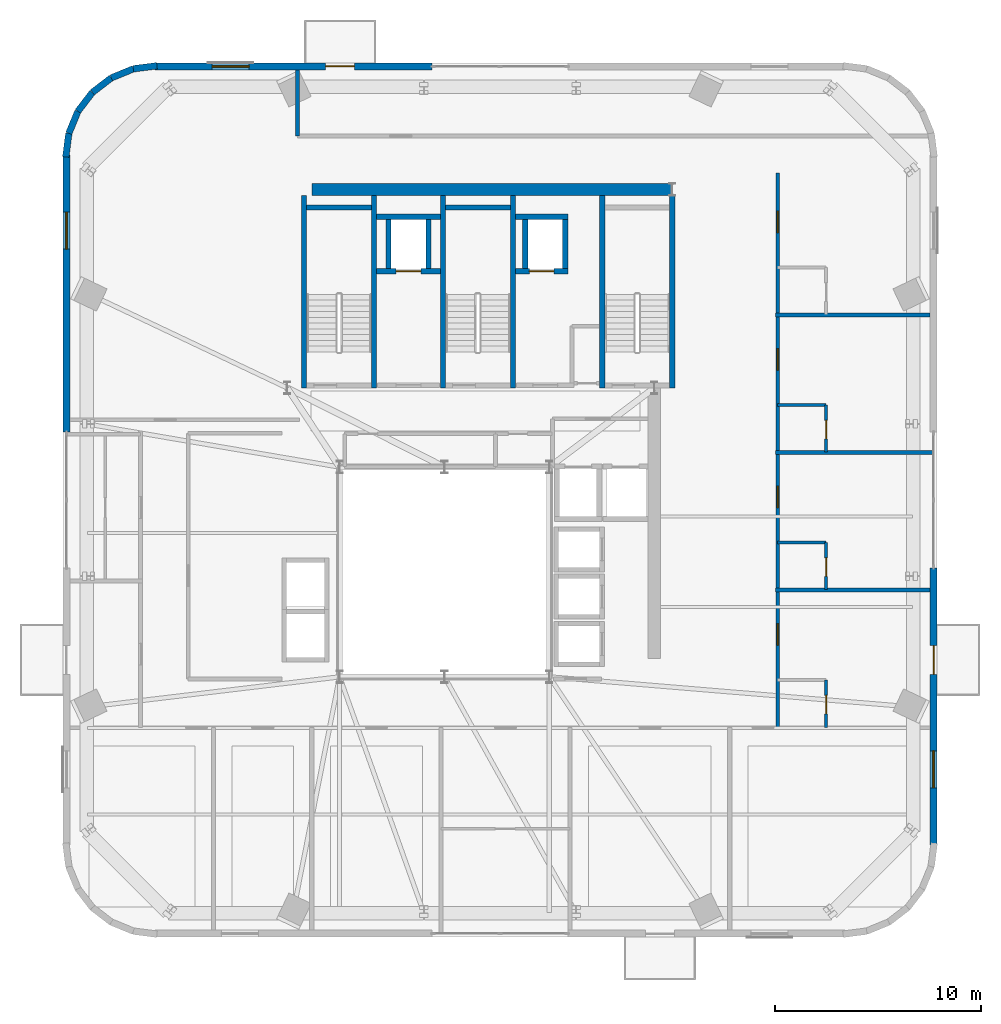
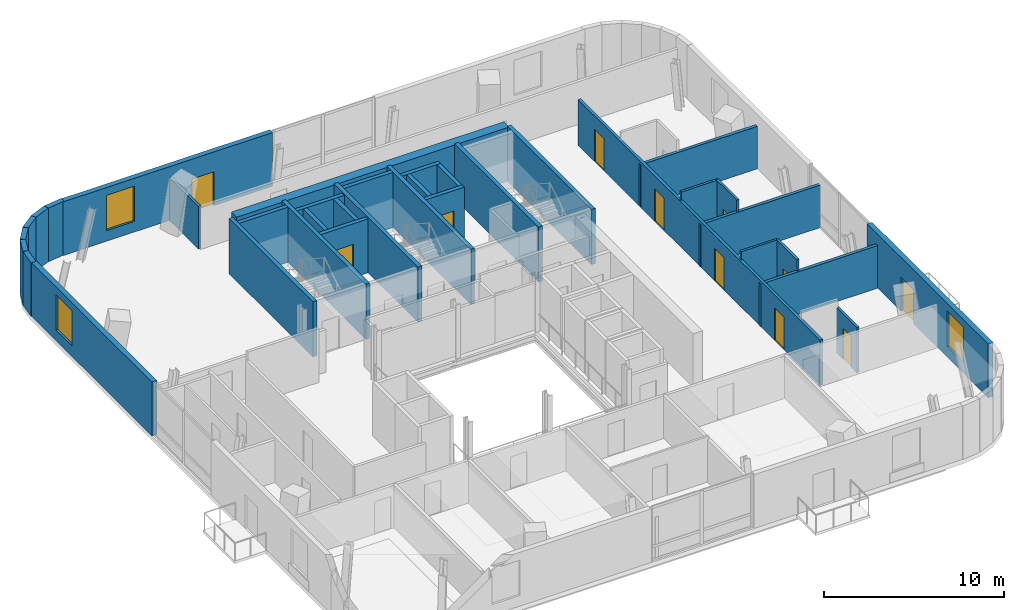
# One storey, part 8 of 14: 36 walls, 11 doors, 3 windows, 14 openings.
"""IFC4 building model written with IfcOpenShell, lengths in metres."""

from ifc_helpers import new_model, si_unit, direction, frame, frame_2d, origin, place, context, subcontext, project, spatial, rectangle, extrude, source, transform, mapped, material, layer, layer_set, type_object, element, fill, save


model = new_model("IFC4")

# Units and contexts
model_context = context("Model", 3, precision=1e-05, world=origin(), true_north=direction((0.0, 1.0)))
body_context = subcontext(model_context, "Body", "Model", "MODEL_VIEW")
ifc_project = project(units=[si_unit("LENGTHUNIT", "METRE"), si_unit("AREAUNIT", "SQUARE_METRE"), si_unit("VOLUMEUNIT", "CUBIC_METRE"), si_unit("PLANEANGLEUNIT", "RADIAN"), si_unit("MASSUNIT", "GRAM", prefix="KILO")], contexts=[model_context])

# Site, building, storey
site_placement = place(None, origin())
site = spatial("IfcSite", under=ifc_project, at=site_placement, CompositionType="ELEMENT")
building_placement = place(site_placement, origin())
building = spatial("IfcBuilding", under=site, at=building_placement, Name="Vardaveli Station Tower", CompositionType="ELEMENT")
storey_placement = place(building_placement, frame((0.0, 0.0, 270.35009765625)))
storey = spatial("IfcBuildingStorey", under=building, at=storey_placement, Name="L69", CompositionType="ELEMENT", Elevation=270.35009765625)

# Wall
ifc_material_1 = material(Name="Concrete C50/60", Category="concrete")
ifc_layer_1 = layer(ifc_material_1, 0.60009765625, Name="Concrete C50/60")
ifc_layer_set_1 = layer_set([ifc_layer_1], Name="Concrete C50/60")
wall_type_1 = type_object("IfcWallType", Name="WAL-CORE-600", PredefinedType="SHEAR", material=ifc_layer_set_1)
shared_shape_1 = source(origin(), body_context, "Body", "SweptSolid", [
    extrude(rectangle(XDim=17.52001953125, YDim=0.60009765625, at=frame_2d((8.760009765625, 0.0))), origin(), (0.0, 0.0, 1.0), 3.64990234375),
])
wall_1_placement = place(storey_placement, frame((29.85009765625, 40.300048828125, 0.0), z_axis=(0.0, 0.0, 1.0), x_axis=(1.0, 0.0, 0.0)))
element("IfcWall", 1, at=wall_1_placement, inside=storey, type_object=wall_type_1, Name="SW-L69-NORTH", PredefinedType="SHEAR", context=body_context, shape_type="MappedRepresentation", body=[
    mapped(shared_shape_1, transform((0.0, 0.0, 0.0), scale=1.0)),
])

# Wall, openings, door, window
ifc_material_2 = material(Name="Precast concrete C45/55", Category="concrete")
ifc_layer_2 = layer(ifc_material_2, 0.320068359375, Name="Precast concrete C45/55")
ifc_layer_set_2 = layer_set([ifc_layer_2], Name="Precast concrete C45/55")
wall_type_2 = type_object("IfcWallType", Name="WAL-EXT-STONE-320", PredefinedType="SOLIDWALL", material=ifc_layer_set_2)
shared_shape_2 = source(origin(), body_context, "Body", "SweptSolid", [
    extrude(rectangle(XDim=13.47998046875, YDim=0.320068359375, at=frame_2d((6.739990234375, 0.0))), origin(), (0.0, 0.0, 1.0), 3.64990234375),
])
wall_2_placement = place(storey_placement, frame((35.699951171875, 46.280029296875, 0.0), z_axis=(0.0, 0.0, 1.0), x_axis=(-1.0, 0.0, 0.0)))
wall_2 = element("IfcWall", 2, at=wall_2_placement, inside=storey, type_object=wall_type_2, Name="EW-L69-N2", PredefinedType="SOLIDWALL", context=body_context, shape_type="MappedRepresentation", body=[
    mapped(shared_shape_2, transform((0.0, 0.0, 0.0), scale=1.0)),
])
shared_shape_3 = source(origin(), body_context, "Body", "SweptSolid", [
    extrude(rectangle(XDim=1.39990234375, YDim=2.300048828125, at=frame_2d((0.699951171875, 1.14990234375))), frame((0.0, 0.169921875, 0.0), z_axis=(0.0, -1.0, 0.0), x_axis=(1.0, 0.0, 0.0)), (0.0, 0.0, 1.0), 0.340087890625),
])
opening_1_placement = place(wall_2_placement, frame((3.775390625, 0.0, 0.0)))
opening_1 = element("IfcOpeningElement", 3, at=opening_1_placement, cuts=wall_2, Name="Opening D-09", PredefinedType="OPENING", context=body_context, shape_type="MappedRepresentation", body=[
    mapped(shared_shape_3, transform((0.0, 0.0, 0.0), scale=1.0)),
])
shared_shape_4 = source(origin(), body_context, "Body", "SweptSolid", [
    extrude(rectangle(XDim=1.800048828125, YDim=2.39990234375, at=frame_2d((0.89990234375, 1.199951171875))), frame((0.0, 0.169921875, 0.0), z_axis=(0.0, -1.0, 0.0), x_axis=(1.0, 0.0, 0.0)), (0.0, 0.0, 1.0), 0.340087890625),
])
opening_2_placement = place(wall_2_placement, frame((8.89892578125, 0.0, 0.719970703125)))
opening_2 = element("IfcOpeningElement", 4, at=opening_2_placement, cuts=wall_2, Name="Opening W-05", PredefinedType="OPENING", context=body_context, shape_type="MappedRepresentation", body=[
    mapped(shared_shape_4, transform((0.0, 0.0, 0.0), scale=1.0)),
])
ifc_material_3 = material(Name="Thermally broken aluminium glass", Category="aluminium")
door_type_1 = type_object("IfcDoorType", Name="DR-LOG-1400x2300", OperationType="DOUBLE_DOOR_SLIDING", PredefinedType="DOOR", material=ifc_material_3)
shared_shape_5 = source(origin(), body_context, "Body", "SweptSolid", [
    extrude(rectangle(XDim=1.39990234375, YDim=2.300048828125, at=frame_2d((0.699951171875, 1.14990234375))), frame((0.0, 0.02490234375, 0.0), z_axis=(0.0, -1.0, 0.0), x_axis=(1.0, 0.0, 0.0)), (0.0, 0.0, 1.0), 0.050048828125),
])
door_1_placement = place(opening_1_placement, frame((1.39990234375, 0.0, 0.0), z_axis=(0.0, 0.0, 1.0), x_axis=(-1.0, 0.0, 0.0)))
door_1 = element("IfcDoor", 5, at=door_1_placement, inside=storey, type_object=door_type_1, Name="DLG-L69-N", OperationType="DOUBLE_DOOR_SLIDING", OverallHeight=2.300048828125, OverallWidth=1.39990234375, PredefinedType="DOOR", context=body_context, shape_type="MappedRepresentation", body=[
    mapped(shared_shape_5, transform((0.0, 0.0, 0.0), scale=1.0)),
])
fill(opening_1, door_1)
ifc_material_4 = material(Name="Low-E solar-control glass", Category="glass")
window_type = type_object("IfcWindowType", Name="WIN-HIGH-1800x2400", PartitioningType="SINGLE_PANEL", PredefinedType="WINDOW", material=ifc_material_4)
shared_shape_6 = source(origin(), body_context, "Body", "SweptSolid", [
    extrude(rectangle(XDim=1.800048828125, YDim=2.39990234375, at=frame_2d((0.89990234375, 1.199951171875))), frame((0.0, 0.030029296875, 0.0), z_axis=(0.0, -1.0, 0.0), x_axis=(1.0, 0.0, 0.0)), (0.0, 0.0, 1.0), 0.06005859375),
])
window_1_placement = place(opening_2_placement, origin())
window_1 = element("IfcWindow", 6, at=window_1_placement, inside=storey, type_object=window_type, Name="WN-L69-N2", OverallHeight=2.39990234375, OverallWidth=1.800048828125, PartitioningType="SINGLE_PANEL", PredefinedType="WINDOW", context=body_context, shape_type="MappedRepresentation", body=[
    mapped(shared_shape_6, transform((0.0, 0.0, 0.0), scale=1.0)),
])
fill(opening_2, window_1)

# Wall, opening, window
wall_3_placement = place(storey_placement, frame((17.919921875, 41.97998046875, 0.0), z_axis=(0.0, 0.0, 1.0), x_axis=(0.0, -1.0, 0.0)))
wall_3 = element("IfcWall", 7, at=wall_3_placement, inside=storey, type_object=wall_type_2, Name="EW-L69-W1", PredefinedType="SOLIDWALL", context=body_context, shape_type="MappedRepresentation", body=[
    mapped(shared_shape_2, transform((0.0, 0.0, 0.0), scale=1.0)),
])
opening_3_placement = place(wall_3_placement, frame((2.781005859375, 0.0, 0.719970703125)))
opening_3 = element("IfcOpeningElement", 8, at=opening_3_placement, cuts=wall_3, Name="Opening W-05", PredefinedType="OPENING", context=body_context, shape_type="MappedRepresentation", body=[
    mapped(shared_shape_4, transform((0.0, 0.0, 0.0), scale=1.0)),
])
window_2_placement = place(opening_3_placement, origin())
window_2 = element("IfcWindow", 9, at=window_2_placement, inside=storey, type_object=window_type, Name="WN-L69-W1", OverallHeight=2.39990234375, OverallWidth=1.800048828125, PartitioningType="SINGLE_PANEL", PredefinedType="WINDOW", context=body_context, shape_type="MappedRepresentation", body=[
    mapped(shared_shape_6, transform((0.0, 0.0, 0.0), scale=1.0)),
])
fill(opening_3, window_2)

# Wall, openings, door, window
wall_4_placement = place(storey_placement, frame((60.080078125, 8.419921875, 0.0), z_axis=(0.0, 0.0, 1.0), x_axis=(0.0, 1.0, 0.0)))
wall_4 = element("IfcWall", 10, at=wall_4_placement, inside=storey, type_object=wall_type_2, Name="EW-L69-E1", PredefinedType="SOLIDWALL", context=body_context, shape_type="MappedRepresentation", body=[
    mapped(shared_shape_2, transform((0.0, 0.0, 0.0), scale=1.0)),
])
opening_4_placement = place(wall_4_placement, frame((8.304443359375, 0.0, 0.0)))
opening_4 = element("IfcOpeningElement", 11, at=opening_4_placement, cuts=wall_4, Name="Opening D-09", PredefinedType="OPENING", context=body_context, shape_type="MappedRepresentation", body=[
    mapped(shared_shape_3, transform((0.0, 0.0, 0.0), scale=1.0)),
])
opening_5_placement = place(wall_4_placement, frame((2.781005859375, 0.0, 0.719970703125)))
opening_5 = element("IfcOpeningElement", 12, at=opening_5_placement, cuts=wall_4, Name="Opening W-05", PredefinedType="OPENING", context=body_context, shape_type="MappedRepresentation", body=[
    mapped(shared_shape_4, transform((0.0, 0.0, 0.0), scale=1.0)),
])
door_2_placement = place(opening_4_placement, frame((1.39990234375, 0.0, 0.0), z_axis=(0.0, 0.0, 1.0), x_axis=(-1.0, 0.0, 0.0)))
door_2 = element("IfcDoor", 13, at=door_2_placement, inside=storey, type_object=door_type_1, Name="DLG-L69-E", OperationType="DOUBLE_DOOR_SLIDING", OverallHeight=2.300048828125, OverallWidth=1.39990234375, PredefinedType="DOOR", context=body_context, shape_type="MappedRepresentation", body=[
    mapped(shared_shape_5, transform((0.0, 0.0, 0.0), scale=1.0)),
])
fill(opening_4, door_2)
window_3_placement = place(opening_5_placement, origin())
window_3 = element("IfcWindow", 14, at=window_3_placement, inside=storey, type_object=window_type, Name="WN-L69-E1", OverallHeight=2.39990234375, OverallWidth=1.800048828125, PartitioningType="SINGLE_PANEL", PredefinedType="WINDOW", context=body_context, shape_type="MappedRepresentation", body=[
    mapped(shared_shape_6, transform((0.0, 0.0, 0.0), scale=1.0)),
])
fill(opening_5, window_3)

# Walls
shared_shape_7 = source(origin(), body_context, "Body", "SweptSolid", [
    extrude(rectangle(XDim=1.159423828125, YDim=0.320068359375, at=frame_2d((0.57958984375, 0.0))), origin(), (0.0, 0.0, 1.0), 3.64990234375),
])
wall_5_placement = place(storey_placement, frame((18.033935546875, 43.03076171875, 0.0), z_axis=(0.0, 0.0, 1.0), x_axis=(-0.128024787431, -0.991770968421, 0.0)))
element("IfcWall", 15, at=wall_5_placement, inside=storey, type_object=wall_type_2, Name="EW-L69-CR4-6", PredefinedType="SOLIDWALL", context=body_context, shape_type="MappedRepresentation", body=[
    mapped(shared_shape_7, transform((0.0, 0.0, 0.0), scale=1.0)),
])
shared_shape_8 = source(origin(), body_context, "Body", "SweptSolid", [
    extrude(rectangle(XDim=1.158447265625, YDim=0.320068359375, at=frame_2d((0.5791015625, 0.0))), origin(), (0.0, 0.0, 1.0), 3.64990234375),
])
wall_6_placement = place(storey_placement, frame((21.16943359375, 46.166259765625, 0.0), z_axis=(0.0, 0.0, 1.0), x_axis=(-0.924560208776, -0.38103598301, 0.0)))
element("IfcWall", 16, at=wall_6_placement, inside=storey, type_object=wall_type_2, Name="EW-L69-CR4-2", PredefinedType="SOLIDWALL", context=body_context, shape_type="MappedRepresentation", body=[
    mapped(shared_shape_8, transform((0.0, 0.0, 0.0), scale=1.0)),
])
shared_shape_9 = source(origin(), body_context, "Body", "SweptSolid", [
    extrude(rectangle(XDim=1.15771484375, YDim=0.320068359375, at=frame_2d((0.578857421875, 0.0))), origin(), (0.0, 0.0, 1.0), 3.64990234375),
])
for number, where, z_axis, x_axis, name in (
    (17, (20.098388671875, 45.724853515625, 0.0), (0.0, 0.0, 1.0), (-0.793681019903, -0.608334150484, 0.0), "EW-L69-CR4-3"),
    (18, (19.179443359375, 45.0205078125, 0.0), (0.0, 0.0, 1.0), (-0.608201297311, -0.793782830471, 0.0), "EW-L69-CR4-4"),
):
    element("IfcWall", number, at=place(storey_placement, frame(where, z_axis=z_axis, x_axis=x_axis)), inside=storey, type_object=wall_type_2, Name=name, PredefinedType="SOLIDWALL", context=body_context, shape_type="MappedRepresentation", body=[
        mapped(shared_shape_9, transform((0.0, 0.0, 0.0), scale=1.0)),
    ])
shared_shape_10 = source(origin(), body_context, "Body", "SweptSolid", [
    extrude(rectangle(XDim=1.1591796875, YDim=0.320068359375, at=frame_2d((0.57958984375, 0.0))), origin(), (0.0, 0.0, 1.0), 3.64990234375),
])
wall_7_placement = place(storey_placement, frame((22.319091796875, 46.314453125, 0.0), z_axis=(0.0, 0.0, 1.0), x_axis=(-0.991794242204, -0.127844362926, 0.0)))
element("IfcWall", 19, at=wall_7_placement, inside=storey, type_object=wall_type_2, Name="EW-L69-CR4-1", PredefinedType="SOLIDWALL", context=body_context, shape_type="MappedRepresentation", body=[
    mapped(shared_shape_10, transform((0.0, 0.0, 0.0), scale=1.0)),
])
shared_shape_11 = source(origin(), body_context, "Body", "SweptSolid", [
    extrude(rectangle(XDim=1.158203125, YDim=0.320068359375, at=frame_2d((0.5791015625, 0.0))), origin(), (0.0, 0.0, 1.0), 3.64990234375),
])
wall_8_placement = place(storey_placement, frame((18.475341796875, 44.1015625, 0.0), z_axis=(0.0, 0.0, 1.0), x_axis=(-0.381110241514, -0.924529601372, 0.0)))
element("IfcWall", 20, at=wall_8_placement, inside=storey, type_object=wall_type_2, Name="EW-L69-CR4-5", PredefinedType="SOLIDWALL", context=body_context, shape_type="MappedRepresentation", body=[
    mapped(shared_shape_11, transform((0.0, 0.0, 0.0), scale=1.0)),
])
ifc_material_5 = material(Name="Concrete C40/50", Category="concrete")
ifc_layer_3 = layer(ifc_material_5, 0.25, Name="Concrete C40/50")
ifc_layer_set_3 = layer_set([ifc_layer_3], Name="Concrete C40/50")
wall_type_3 = type_object("IfcWallType", Name="WAL-SHAFT-250", PredefinedType="SOLIDWALL", material=ifc_layer_set_3)
shared_shape_12 = source(origin(), body_context, "Body", "SweptSolid", [
    extrude(rectangle(XDim=9.35009765625, YDim=0.25, at=frame_2d((4.675048828125, 0.0))), origin(), (0.0, 0.0, 1.0), 3.75),
])
for number, where, z_axis, x_axis, name in (
    (21, (29.47509765625, 30.64990234375, 0.0), (0.0, 0.0, 1.0), (0.0, 1.0, 0.0), "W-L69-ST-1W"),
    (22, (32.875, 30.64990234375, 0.0), (0.0, 0.0, 1.0), (0.0, 1.0, 0.0), "W-L69-ST-1E"),
    (23, (36.22509765625, 30.64990234375, 0.0), (0.0, 0.0, 1.0), (0.0, 1.0, 0.0), "W-L69-ST-2W"),
    (24, (39.625, 30.64990234375, 0.0), (0.0, 0.0, 1.0), (0.0, 1.0, 0.0), "W-L69-ST-2E"),
    (25, (43.97509765625, 30.64990234375, 0.0), (0.0, 0.0, 1.0), (0.0, 1.0, 0.0), "W-L69-ST-3W"),
    (26, (47.375, 30.64990234375, 0.0), (0.0, 0.0, 1.0), (0.0, 1.0, 0.0), "W-L69-ST-3E"),
):
    element("IfcWall", number, at=place(storey_placement, frame(where, z_axis=z_axis, x_axis=x_axis)), inside=storey, type_object=wall_type_3, Name=name, PredefinedType="SOLIDWALL", context=body_context, shape_type="MappedRepresentation", body=[
        mapped(shared_shape_12, transform((0.0, 0.0, 0.0), scale=1.0)),
    ])
shared_shape_13 = source(origin(), body_context, "Body", "SweptSolid", [
    extrude(rectangle(XDim=3.14990234375, YDim=0.25, at=frame_2d((1.574951171875, 0.0))), origin(), (0.0, 0.0, 1.0), 3.75),
])
for number, where, z_axis, x_axis, name in (
    (27, (29.60009765625, 39.425048828125, 0.0), (0.0, 0.0, 1.0), (1.0, 0.0, 0.0), "W-L69-ST-1N"),
    (28, (36.35009765625, 39.425048828125, 0.0), (0.0, 0.0, 1.0), (1.0, 0.0, 0.0), "W-L69-ST-2N"),
):
    element("IfcWall", number, at=place(storey_placement, frame(where, z_axis=z_axis, x_axis=x_axis)), inside=storey, type_object=wall_type_3, Name=name, PredefinedType="SOLIDWALL", context=body_context, shape_type="MappedRepresentation", body=[
        mapped(shared_shape_13, transform((0.0, 0.0, 0.0), scale=1.0)),
    ])

# Wall, opening, door
shared_shape_14 = source(origin(), body_context, "Body", "SweptSolid", [
    extrude(rectangle(XDim=3.10009765625, YDim=0.25, at=frame_2d((1.550048828125, 0.0))), origin(), (0.0, 0.0, 1.0), 3.64990234375),
])
wall_9_placement = place(storey_placement, frame((33.0, 36.324951171875, 0.0), z_axis=(0.0, 0.0, 1.0), x_axis=(1.0, 0.0, 0.0)))
wall_9 = element("IfcWall", 29, at=wall_9_placement, inside=storey, type_object=wall_type_3, Name="SHW-FFL-01-L69-S", PredefinedType="SOLIDWALL", context=body_context, shape_type="MappedRepresentation", body=[
    mapped(shared_shape_14, transform((0.0, 0.0, 0.0), scale=1.0)),
])
shared_shape_15 = source(origin(), body_context, "Body", "SweptSolid", [
    extrude(rectangle(XDim=1.199951171875, YDim=2.25, at=frame_2d((0.60009765625, 1.125))), frame((0.0, 0.135009765625, 0.0), z_axis=(0.0, -1.0, 0.0), x_axis=(1.0, 0.0, 0.0)), (0.0, 0.0, 1.0), 0.27001953125),
])
opening_6_placement = place(wall_9_placement, frame((0.949951171875, 0.0, 0.0)))
opening_6 = element("IfcOpeningElement", 30, at=opening_6_placement, cuts=wall_9, Name="Opening LD-02", PredefinedType="OPENING", context=body_context, shape_type="MappedRepresentation", body=[
    mapped(shared_shape_15, transform((0.0, 0.0, 0.0), scale=1.0)),
])
ifc_material_6 = material(Name="Brushed stainless steel", Category="steel")
door_type_2 = type_object("IfcDoorType", Name="DR-LD-1200x2250", OperationType="DOUBLE_DOOR_SLIDING", PredefinedType="DOOR", material=ifc_material_6)
shared_shape_16 = source(origin(), body_context, "Body", "SweptSolid", [
    extrude(rectangle(XDim=1.199951171875, YDim=2.25, at=frame_2d((0.60009765625, 1.125))), frame((0.0, 0.02490234375, 0.0), z_axis=(0.0, -1.0, 0.0), x_axis=(1.0, 0.0, 0.0)), (0.0, 0.0, 1.0), 0.050048828125),
])
door_3_placement = place(opening_6_placement, origin())
door_3 = element("IfcDoor", 31, at=door_3_placement, inside=storey, type_object=door_type_2, Name="LD-FFL-01-L69", OperationType="DOUBLE_DOOR_SLIDING", OverallHeight=2.25, OverallWidth=1.199951171875, PredefinedType="DOOR", context=body_context, shape_type="MappedRepresentation", body=[
    mapped(shared_shape_16, transform((0.0, 0.0, 0.0), scale=1.0)),
])
fill(opening_6, door_3)

# Walls
wall_10_placement = place(storey_placement, frame((33.0, 38.97509765625, 0.0), z_axis=(0.0, 0.0, 1.0), x_axis=(1.0, 0.0, 0.0)))
element("IfcWall", 32, at=wall_10_placement, inside=storey, type_object=wall_type_3, Name="SHW-FFL-01-L69-N", PredefinedType="SOLIDWALL", context=body_context, shape_type="MappedRepresentation", body=[
    mapped(shared_shape_14, transform((0.0, 0.0, 0.0), scale=1.0)),
])
shared_shape_17 = source(origin(), body_context, "Body", "SweptSolid", [
    extrude(rectangle(XDim=2.400146484375, YDim=0.25, at=frame_2d((1.2001953125, 0.0))), origin(), (0.0, 0.0, 1.0), 3.64990234375),
])
for number, where, z_axis, x_axis, name in (
    (33, (33.574951171875, 36.449951171875, 0.0), (0.0, 0.0, 1.0), (0.0, 1.0, 0.0), "SHW-FFL-01-L69-W"),
    (34, (35.52490234375, 36.449951171875, 0.0), (0.0, 0.0, 1.0), (0.0, 1.0, 0.0), "SHW-FFL-01-L69-E"),
    (35, (40.22509765625, 36.449951171875, 0.0), (0.0, 0.0, 1.0), (0.0, 1.0, 0.0), "SHW-FFL-02-L69-W"),
    (36, (42.175048828125, 36.449951171875, 0.0), (0.0, 0.0, 1.0), (0.0, 1.0, 0.0), "SHW-FFL-02-L69-E"),
):
    element("IfcWall", number, at=place(storey_placement, frame(where, z_axis=z_axis, x_axis=x_axis)), inside=storey, type_object=wall_type_3, Name=name, PredefinedType="SOLIDWALL", context=body_context, shape_type="MappedRepresentation", body=[
        mapped(shared_shape_17, transform((0.0, 0.0, 0.0), scale=1.0)),
    ])

# Wall, opening, door
shared_shape_18 = source(origin(), body_context, "Body", "SweptSolid", [
    extrude(rectangle(XDim=2.550048828125, YDim=0.25, at=frame_2d((1.27490234375, 0.0))), origin(), (0.0, 0.0, 1.0), 3.64990234375),
])
wall_11_placement = place(storey_placement, frame((39.75, 36.324951171875, 0.0), z_axis=(0.0, 0.0, 1.0), x_axis=(1.0, 0.0, 0.0)))
wall_11 = element("IfcWall", 37, at=wall_11_placement, inside=storey, type_object=wall_type_3, Name="SHW-FFL-02-L69-S", PredefinedType="SOLIDWALL", context=body_context, shape_type="MappedRepresentation", body=[
    mapped(shared_shape_18, transform((0.0, 0.0, 0.0), scale=1.0)),
])
opening_7_placement = place(wall_11_placement, frame((0.675048828125, 0.0, 0.0)))
opening_7 = element("IfcOpeningElement", 38, at=opening_7_placement, cuts=wall_11, Name="Opening LD-02", PredefinedType="OPENING", context=body_context, shape_type="MappedRepresentation", body=[
    mapped(shared_shape_15, transform((0.0, 0.0, 0.0), scale=1.0)),
])
door_4_placement = place(opening_7_placement, origin())
door_4 = element("IfcDoor", 39, at=door_4_placement, inside=storey, type_object=door_type_2, Name="LD-FFL-02-L69", OperationType="DOUBLE_DOOR_SLIDING", OverallHeight=2.25, OverallWidth=1.199951171875, PredefinedType="DOOR", context=body_context, shape_type="MappedRepresentation", body=[
    mapped(shared_shape_16, transform((0.0, 0.0, 0.0), scale=1.0)),
])
fill(opening_7, door_4)

# Wall
wall_12_placement = place(storey_placement, frame((39.75, 38.97509765625, 0.0), z_axis=(0.0, 0.0, 1.0), x_axis=(1.0, 0.0, 0.0)))
element("IfcWall", 40, at=wall_12_placement, inside=storey, type_object=wall_type_3, Name="SHW-FFL-02-L69-N", PredefinedType="SOLIDWALL", context=body_context, shape_type="MappedRepresentation", body=[
    mapped(shared_shape_18, transform((0.0, 0.0, 0.0), scale=1.0)),
])

# Wall, opening, door
ifc_material_7 = material(Name="Moisture-resistant stud partition")
ifc_layer_4 = layer(ifc_material_7, 0.14990234375, Name="Moisture-resistant stud partition")
ifc_layer_set_4 = layer_set([ifc_layer_4], Name="Moisture-resistant stud partition")
wall_type_4 = type_object("IfcWallType", Name="WAL-WET-150", PredefinedType="PARTITIONING", material=ifc_layer_set_4)
shared_shape_19 = source(origin(), body_context, "Body", "SweptSolid", [
    extrude(rectangle(XDim=2.2900390625, YDim=0.14990234375, at=frame_2d((1.14501953125, 0.0))), origin(), (0.0, 0.0, 1.0), 3.091796875),
])
wall_13_placement = place(storey_placement, frame((54.860107421875, 14.14990234375, 0.0), z_axis=(0.0, 0.0, 1.0), x_axis=(0.0, 1.0, 0.0)))
wall_13 = element("IfcWall", 41, at=wall_13_placement, inside=storey, type_object=wall_type_4, Name="W-L69-BE1-E", PredefinedType="PARTITIONING", context=body_context, shape_type="MappedRepresentation", body=[
    mapped(shared_shape_19, transform((0.0, 0.0, 0.0), scale=1.0)),
])
shared_shape_20 = source(origin(), body_context, "Body", "SweptSolid", [
    extrude(rectangle(XDim=0.89990234375, YDim=2.10009765625, at=frame_2d((0.449951171875, 1.050048828125))), frame((0.0, 0.0849609375, 0.0), z_axis=(0.0, -1.0, 0.0), x_axis=(1.0, 0.0, 0.0)), (0.0, 0.0, 1.0), 0.169921875),
])
opening_8_placement = place(wall_13_placement, frame((0.64990234375, 0.0, 0.0)))
opening_8 = element("IfcOpeningElement", 42, at=opening_8_placement, cuts=wall_13, Name="Opening D-08", PredefinedType="OPENING", context=body_context, shape_type="MappedRepresentation", body=[
    mapped(shared_shape_20, transform((0.0, 0.0, 0.0), scale=1.0)),
])
ifc_material_8 = material(Name="Moisture-resistant oak door")
door_type_3 = type_object("IfcDoorType", Name="DR-BATH-900x2100", OperationType="NOTDEFINED", PredefinedType="DOOR", material=ifc_material_8)
shared_shape_21 = source(origin(), body_context, "Body", "SweptSolid", [
    extrude(rectangle(XDim=0.89990234375, YDim=2.10009765625, at=frame_2d((0.449951171875, 1.050048828125))), frame((0.0, 0.02490234375, 0.0), z_axis=(0.0, -1.0, 0.0), x_axis=(1.0, 0.0, 0.0)), (0.0, 0.0, 1.0), 0.050048828125),
])
door_5_placement = place(opening_8_placement, origin())
door_5 = element("IfcDoor", 43, at=door_5_placement, inside=storey, type_object=door_type_3, Name="D-L69-BE1", OperationType="SINGLE_SWING_LEFT", OverallHeight=2.10009765625, OverallWidth=0.89990234375, PredefinedType="DOOR", context=body_context, shape_type="MappedRepresentation", body=[
    mapped(shared_shape_21, transform((0.0, 0.0, 0.0), scale=1.0)),
])
fill(opening_8, door_5)

# Walls
shared_shape_22 = source(origin(), body_context, "Body", "SweptSolid", [
    extrude(rectangle(XDim=2.360107421875, YDim=0.14990234375, at=frame_2d((1.18017578125, 0.0))), origin(), (0.0, 0.0, 1.0), 3.64990234375),
])
for number, where, z_axis, x_axis, name in (
    (44, (52.5, 23.126953125, 0.0), (0.0, 0.0, 1.0), (1.0, 0.0, 0.0), "W-L69-BE2-N"),
    (45, (52.5, 29.81494140625, 0.0), (0.0, 0.0, 1.0), (1.0, 0.0, 0.0), "W-L69-BE3-N"),
):
    element("IfcWall", number, at=place(storey_placement, frame(where, z_axis=z_axis, x_axis=x_axis)), inside=storey, type_object=wall_type_4, Name=name, PredefinedType="PARTITIONING", context=body_context, shape_type="MappedRepresentation", body=[
        mapped(shared_shape_22, transform((0.0, 0.0, 0.0), scale=1.0)),
    ])

# Wall, opening, door
shared_shape_23 = source(origin(), body_context, "Body", "SweptSolid", [
    extrude(rectangle(XDim=2.2900390625, YDim=0.14990234375, at=frame_2d((1.14501953125, 0.0))), origin(), (0.0, 0.0, 1.0), 3.64990234375),
])
wall_14_placement = place(storey_placement, frame((54.860107421875, 20.8369140625, 0.0), z_axis=(0.0, 0.0, 1.0), x_axis=(0.0, 1.0, 0.0)))
wall_14 = element("IfcWall", 46, at=wall_14_placement, inside=storey, type_object=wall_type_4, Name="W-L69-BE2-E", PredefinedType="PARTITIONING", context=body_context, shape_type="MappedRepresentation", body=[
    mapped(shared_shape_23, transform((0.0, 0.0, 0.0), scale=1.0)),
])
opening_9_placement = place(wall_14_placement, frame((0.64990234375, 0.0, 0.0)))
opening_9 = element("IfcOpeningElement", 47, at=opening_9_placement, cuts=wall_14, Name="Opening D-08", PredefinedType="OPENING", context=body_context, shape_type="MappedRepresentation", body=[
    mapped(shared_shape_20, transform((0.0, 0.0, 0.0), scale=1.0)),
])
door_6_placement = place(opening_9_placement, origin())
door_6 = element("IfcDoor", 48, at=door_6_placement, inside=storey, type_object=door_type_3, Name="D-L69-BE2", OperationType="SINGLE_SWING_RIGHT", OverallHeight=2.10009765625, OverallWidth=0.89990234375, PredefinedType="DOOR", context=body_context, shape_type="MappedRepresentation", body=[
    mapped(shared_shape_21, transform((0.0, 0.0, 0.0), scale=1.0)),
])
fill(opening_9, door_6)

wall_15_placement = place(storey_placement, frame((54.860107421875, 27.52490234375, 0.0), z_axis=(0.0, 0.0, 1.0), x_axis=(0.0, 1.0, 0.0)))
wall_15 = element("IfcWall", 49, at=wall_15_placement, inside=storey, type_object=wall_type_4, Name="W-L69-BE3-E", PredefinedType="PARTITIONING", context=body_context, shape_type="MappedRepresentation", body=[
    mapped(shared_shape_23, transform((0.0, 0.0, 0.0), scale=1.0)),
])
opening_10_placement = place(wall_15_placement, frame((0.64990234375, 0.0, 0.0)))
opening_10 = element("IfcOpeningElement", 50, at=opening_10_placement, cuts=wall_15, Name="Opening D-08", PredefinedType="OPENING", context=body_context, shape_type="MappedRepresentation", body=[
    mapped(shared_shape_20, transform((0.0, 0.0, 0.0), scale=1.0)),
])
door_7_placement = place(opening_10_placement, origin())
door_7 = element("IfcDoor", 51, at=door_7_placement, inside=storey, type_object=door_type_3, Name="D-L69-BE3", OperationType="SINGLE_SWING_LEFT", OverallHeight=2.10009765625, OverallWidth=0.89990234375, PredefinedType="DOOR", context=body_context, shape_type="MappedRepresentation", body=[
    mapped(shared_shape_21, transform((0.0, 0.0, 0.0), scale=1.0)),
])
fill(opening_10, door_7)

# Wall, openings, doors
ifc_material_9 = material(Name="Fire-rated gypsum stud partition")
ifc_layer_5 = layer(ifc_material_9, 0.179931640625, Name="Fire-rated gypsum stud partition")
ifc_layer_set_5 = layer_set([ifc_layer_5], Name="Fire-rated gypsum stud partition")
wall_type_5 = type_object("IfcWallType", Name="WAL-CORR-180", PredefinedType="PARTITIONING", material=ifc_layer_set_5)
shared_shape_24 = source(origin(), body_context, "Body", "SweptSolid", [
    extrude(rectangle(XDim=26.97021484375, YDim=0.179931640625, at=frame_2d((13.485107421875, 0.0))), origin(), (0.0, 0.0, 1.0), 3.091796875),
])
wall_16_placement = place(storey_placement, frame((52.5, 14.1298828125, 0.0), z_axis=(0.0, 0.0, 1.0), x_axis=(0.0, 1.0, 0.0)))
wall_16 = element("IfcWall", 52, at=wall_16_placement, inside=storey, type_object=wall_type_5, Name="W-L69-CE", PredefinedType="PARTITIONING", context=body_context, shape_type="MappedRepresentation", body=[
    mapped(shared_shape_24, transform((0.0, 0.0, 0.0), scale=1.0)),
])
shared_shape_25 = source(origin(), body_context, "Body", "SweptSolid", [
    extrude(rectangle(XDim=1.050048828125, YDim=2.199951171875, at=frame_2d((0.52490234375, 1.10009765625))), frame((0.0, 0.10009765625, 0.0), z_axis=(0.0, -1.0, 0.0), x_axis=(1.0, 0.0, 0.0)), (0.0, 0.0, 1.0), 0.199951171875),
])
opening_11_placement = place(wall_16_placement, frame((4.0087890625, 0.0, 0.0)))
opening_11 = element("IfcOpeningElement", 53, at=opening_11_placement, cuts=wall_16, Name="Opening D-05", PredefinedType="OPENING", context=body_context, shape_type="MappedRepresentation", body=[
    mapped(shared_shape_25, transform((0.0, 0.0, 0.0), scale=1.0)),
])
opening_12_placement = place(wall_16_placement, frame((10.6962890625, 0.0, 0.0)))
opening_12 = element("IfcOpeningElement", 54, at=opening_12_placement, cuts=wall_16, Name="Opening D-05", PredefinedType="OPENING", context=body_context, shape_type="MappedRepresentation", body=[
    mapped(shared_shape_25, transform((0.0, 0.0, 0.0), scale=1.0)),
])
opening_13_placement = place(wall_16_placement, frame((17.3837890625, 0.0, 0.0)))
opening_13 = element("IfcOpeningElement", 55, at=opening_13_placement, cuts=wall_16, Name="Opening D-05", PredefinedType="OPENING", context=body_context, shape_type="MappedRepresentation", body=[
    mapped(shared_shape_25, transform((0.0, 0.0, 0.0), scale=1.0)),
])
opening_14_placement = place(wall_16_placement, frame((24.0712890625, 0.0, 0.0)))
opening_14 = element("IfcOpeningElement", 56, at=opening_14_placement, cuts=wall_16, Name="Opening D-05", PredefinedType="OPENING", context=body_context, shape_type="MappedRepresentation", body=[
    mapped(shared_shape_25, transform((0.0, 0.0, 0.0), scale=1.0)),
])
ifc_material_10 = material(Name="Walnut veneer acoustic fire door")
door_type_4 = type_object("IfcDoorType", Name="DR-SUITE-1050x2200", OperationType="NOTDEFINED", PredefinedType="DOOR", material=ifc_material_10)
shared_shape_26 = source(origin(), body_context, "Body", "SweptSolid", [
    extrude(rectangle(XDim=1.050048828125, YDim=2.199951171875, at=frame_2d((0.52490234375, 1.10009765625))), frame((0.0, 0.02490234375, 0.0), z_axis=(0.0, -1.0, 0.0), x_axis=(1.0, 0.0, 0.0)), (0.0, 0.0, 1.0), 0.050048828125),
])
door_8_placement = place(opening_11_placement, origin())
door_8 = element("IfcDoor", 57, at=door_8_placement, inside=storey, type_object=door_type_4, Name="D-L69-GE1", OperationType="SINGLE_SWING_LEFT", OverallHeight=2.199951171875, OverallWidth=1.050048828125, PredefinedType="DOOR", context=body_context, shape_type="MappedRepresentation", body=[
    mapped(shared_shape_26, transform((0.0, 0.0, 0.0), scale=1.0)),
])
fill(opening_11, door_8)
door_9_placement = place(opening_12_placement, origin())
door_9 = element("IfcDoor", 58, at=door_9_placement, inside=storey, type_object=door_type_4, Name="D-L69-GE2", OperationType="SINGLE_SWING_RIGHT", OverallHeight=2.199951171875, OverallWidth=1.050048828125, PredefinedType="DOOR", context=body_context, shape_type="MappedRepresentation", body=[
    mapped(shared_shape_26, transform((0.0, 0.0, 0.0), scale=1.0)),
])
fill(opening_12, door_9)
door_10_placement = place(opening_13_placement, origin())
door_10 = element("IfcDoor", 59, at=door_10_placement, inside=storey, type_object=door_type_4, Name="D-L69-GE3", OperationType="SINGLE_SWING_LEFT", OverallHeight=2.199951171875, OverallWidth=1.050048828125, PredefinedType="DOOR", context=body_context, shape_type="MappedRepresentation", body=[
    mapped(shared_shape_26, transform((0.0, 0.0, 0.0), scale=1.0)),
])
fill(opening_13, door_10)
door_11_placement = place(opening_14_placement, origin())
door_11 = element("IfcDoor", 60, at=door_11_placement, inside=storey, type_object=door_type_4, Name="D-L69-GE4", OperationType="SINGLE_SWING_RIGHT", OverallHeight=2.199951171875, OverallWidth=1.050048828125, PredefinedType="DOOR", context=body_context, shape_type="MappedRepresentation", body=[
    mapped(shared_shape_26, transform((0.0, 0.0, 0.0), scale=1.0)),
])
fill(opening_14, door_11)

# Walls
ifc_material_11 = material(Name="Acoustic twin-stud gypsum partition")
ifc_layer_6 = layer(ifc_material_11, 0.199951171875, Name="Acoustic twin-stud gypsum partition")
ifc_layer_set_6 = layer_set([ifc_layer_6], Name="Acoustic twin-stud gypsum partition")
wall_type_6 = type_object("IfcWallType", Name="WAL-PARTY-200", PredefinedType="PARTITIONING", material=ifc_layer_set_6)
shared_shape_27 = source(origin(), body_context, "Body", "SweptSolid", [
    extrude(rectangle(XDim=7.51806640625, YDim=0.199951171875, at=frame_2d((3.759033203125, 0.0))), origin(), (0.0, 0.0, 1.0), 2.891845703125),
])
for number, where, z_axis, x_axis, name in (
    (61, (52.39990234375, 20.81689453125, 0.0), (0.0, 0.0, 1.0), (1.0, 0.0, 0.0), "W-L69-PE1"),
    (62, (52.39990234375, 34.193115234375, 0.0), (0.0, 0.0, 1.0), (1.0, 0.0, 0.0), "W-L69-PE3"),
):
    element("IfcWall", number, at=place(storey_placement, frame(where, z_axis=z_axis, x_axis=x_axis)), inside=storey, type_object=wall_type_6, Name=name, PredefinedType="PARTITIONING", context=body_context, shape_type="MappedRepresentation", body=[
        mapped(shared_shape_27, transform((0.0, 0.0, 0.0), scale=1.0)),
    ])
shared_shape_28 = source(origin(), body_context, "Body", "SweptSolid", [
    extrude(rectangle(XDim=7.710205078125, YDim=0.199951171875, at=frame_2d((3.85498046875, 0.0))), origin(), (0.0, 0.0, 1.0), 2.891845703125),
])
wall_17_placement = place(storey_placement, frame((52.39990234375, 27.5048828125, 0.0), z_axis=(0.0, 0.0, 1.0), x_axis=(1.0, 0.0, 0.0)))
element("IfcWall", 63, at=wall_17_placement, inside=storey, type_object=wall_type_6, Name="W-L69-PE2", PredefinedType="PARTITIONING", context=body_context, shape_type="MappedRepresentation", body=[
    mapped(shared_shape_28, transform((0.0, 0.0, 0.0), scale=1.0)),
])
shared_shape_29 = source(origin(), body_context, "Body", "SweptSolid", [
    extrude(rectangle(XDim=3.218017578125, YDim=0.179931640625, at=frame_2d((1.60888671875, 0.0))), origin(), (0.0, 0.0, 1.0), 2.891845703125),
])
wall_18_placement = place(storey_placement, frame((29.14990234375, 42.89990234375, 0.0), z_axis=(0.0, 0.0, 1.0), x_axis=(0.0, 1.0, 0.0)))
element("IfcWall", 64, at=wall_18_placement, inside=storey, type_object=wall_type_5, Name="W-L69-NPW", PredefinedType="PARTITIONING", context=body_context, shape_type="MappedRepresentation", body=[
    mapped(shared_shape_29, transform((0.0, 0.0, 0.0), scale=1.0)),
])

save(model, "model.ifc")
